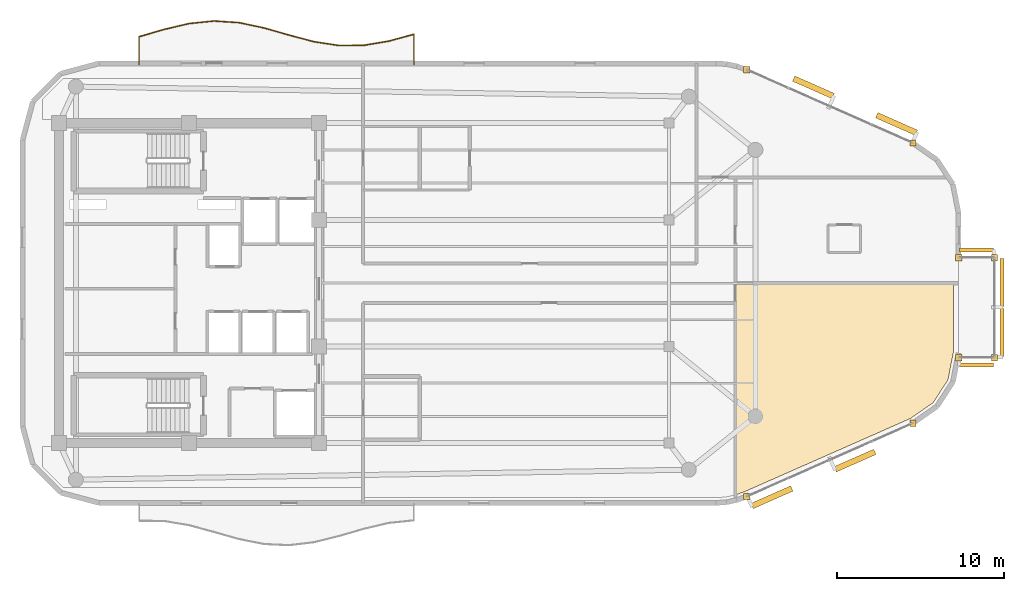
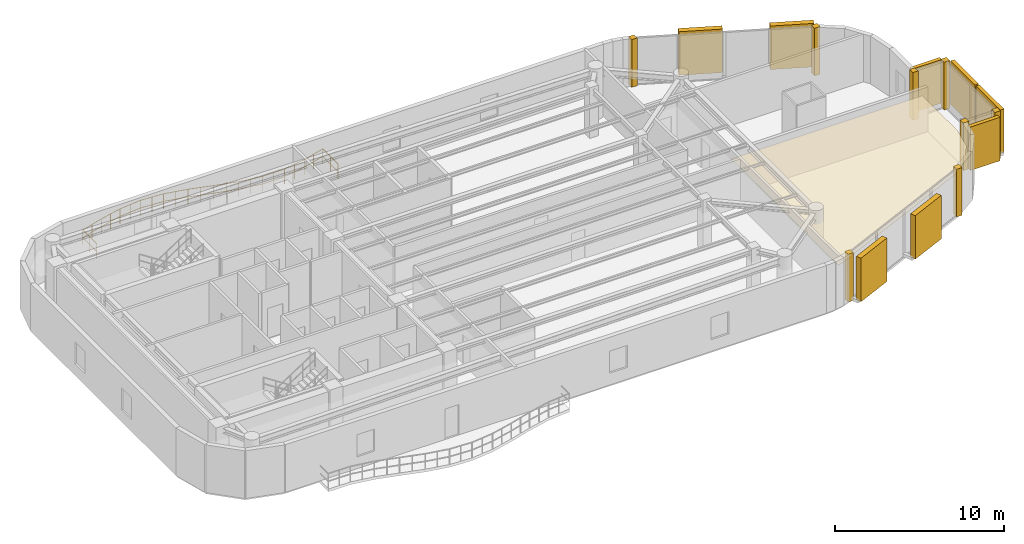
# One storey, part 13 of 13: 9 coverings, 8 shading devices, 1 railing.
"""IFC4 building model written with IfcOpenShell, lengths in metres."""

from ifc_helpers import new_model, si_unit, direction, frame, origin, origin_2d, place, context, subcontext, project, spatial, polyline, rectangle, circle, outline, extrude, material, layer, layer_set, type_object, element, save


model = new_model("IFC4")

# Units and contexts
model_context = context("Model", 3, precision=1e-05, world=origin(), true_north=direction((0.0, 1.0)))
body_context = subcontext(model_context, "Body", "Model", "MODEL_VIEW")
ifc_project = project(units=[si_unit("LENGTHUNIT", "METRE"), si_unit("AREAUNIT", "SQUARE_METRE"), si_unit("VOLUMEUNIT", "CUBIC_METRE"), si_unit("PLANEANGLEUNIT", "RADIAN"), si_unit("MASSUNIT", "GRAM", prefix="KILO")], contexts=[model_context])

# Site, building, storey
site_placement = place(None, origin())
site = spatial("IfcSite", under=ifc_project, at=site_placement, CompositionType="ELEMENT")
building_placement = place(site_placement, origin())
building = spatial("IfcBuilding", under=site, at=building_placement, Name="An Khanh Terracotta Commons", CompositionType="ELEMENT")
storey_placement = place(building_placement, frame((0.0, 0.0, 288.0)))
storey = spatial("IfcBuildingStorey", under=building, at=storey_placement, Name="L75", CompositionType="ELEMENT", Elevation=288.0)

# Coverings
ifc_material_1 = material(Name="Perforated Mineral-Fibre Acoustic Tile")
ifc_layer_1 = layer(ifc_material_1, 0.02001953125, Name="Perforated Mineral-Fibre Acoustic Tile")
ifc_layer_set_1 = layer_set([ifc_layer_1], Name="Perforated Mineral-Fibre Acoustic Tile")
covering_type_1 = type_object("IfcCoveringType", Name="CEIL-ACOUSTIC-18", PredefinedType="CEILING", material=ifc_layer_set_1)
covering_placement = place(storey_placement, frame((0.0, 0.0, 2.64990234375)))
element("IfcCovering", 1, at=covering_placement, inside=storey, type_object=covering_type_1, Name="L75 Academic Seminar Room Ceiling", PredefinedType="CEILING", context=body_context, shape_type="SweptSolid", body=[
    extrude(outline(polyline([(75.280029296875, 19.8291015625), (74.9609375, 18.19189453125), (74.068115234375, 16.822021484375), (72.699951171875, 15.8701171875), (62.76806640625, 11.488037109375), (62.199951171875, 11.283935546875), (62.199951171875, 11.282958984375), (62.199951171875, 22.820068359375), (62.199951171875, 24.0), (75.280029296875, 24.0), (75.280029296875, 19.8291015625)])), origin(), (0.0, 0.0, 1.0), 0.02001953125),
])
ifc_material_2 = material(Name="Fired Terracotta Rainscreen Cladding", Category="masonry")
ifc_layer_2 = layer(ifc_material_2, 0.080078125, Name="Fired Terracotta Rainscreen Cladding")
ifc_layer_set_2 = layer_set([ifc_layer_2], Name="Fired Terracotta Rainscreen Cladding")
covering_type_2 = type_object("IfcCoveringType", Name="COV-JAMB-TERRA", PredefinedType="CLADDING", material=ifc_layer_set_2)
for number, where, z_axis, x_axis, name in (
    (2, (62.886962890625, 11.19091796875, 0.0), (0.0, 0.0, 1.0), (1.0, 0.0, 0.0), "L75 CW-03 Curtain-Wall Jamb Closure JA"),
    (3, (72.85693359375, 15.590087890625, 0.0), (0.0, 0.0, 1.0), (1.0, 0.0, 0.0), "L75 CW-03 Curtain-Wall Jamb Closure JB"),
    (4, (77.75, 19.530029296875, 0.0), (0.0, 0.0, 1.0), (1.0, 0.0, 0.0), "L75 CW-04 Curtain-Wall Jamb Closure JA"),
    (5, (77.75, 25.530029296875, 0.0), (0.0, 0.0, 1.0), (1.0, 0.0, 0.0), "L75 CW-04 Curtain-Wall Jamb Closure JB"),
    (6, (75.60009765625, 19.530029296875, 0.0), (0.0, 0.0, 1.0), (1.0, 0.0, 0.0), "L75 CW-04 Curtain-Wall Jamb Closure JA"),
    (7, (75.60009765625, 25.530029296875, 0.0), (0.0, 0.0, 1.0), (1.0, 0.0, 0.0), "L75 CW-04 Curtain-Wall Jamb Closure JB"),
    (8, (72.85693359375, 32.409912109375, 0.0), (0.0, 0.0, 1.0), (1.0, 0.0, 0.0), "L75 CW-03 Curtain-Wall Jamb Closure JA"),
    (9, (62.886962890625, 36.80908203125, 0.0), (0.0, 0.0, 1.0), (1.0, 0.0, 0.0), "L75 CW-03 Curtain-Wall Jamb Closure JB"),
):
    element("IfcCovering", number, at=place(storey_placement, frame(where, z_axis=z_axis, x_axis=x_axis)), inside=storey, type_object=covering_type_2, Name=name, PredefinedType="CLADDING", context=body_context, shape_type="SweptSolid", body=[
        extrude(rectangle(XDim=0.3798828125, YDim=0.3798828125, at=origin_2d()), origin(), (0.0, 0.0, 1.0), 3.449951171875),
    ])

# Railing
ifc_material_3 = material(Name="Brushed Stainless Steel 316", Category="steel")
railing_type = type_object("IfcRailingType", Name="RAIL-BALUSTRADE-1100", PredefinedType="BALUSTRADE", material=ifc_material_3)
railing_placement = place(storey_placement, frame((42.89990234375, 37.139892578125, 0.0)))
element("IfcRailing", 10, at=railing_placement, inside=storey, type_object=railing_type, Name="L75 N Wave Balcony Guard Balustrade", PredefinedType="BALUSTRADE", context=body_context, shape_type="SweptSolid", body=[
    extrude(circle(Radius=0.02392578125, at=origin_2d()), frame((0.0, 0.0, 1.076171875), z_axis=(0.0, 1.0, 0.0), x_axis=(-1.0, 0.0, 0.0)), (0.0, 0.0, 1.0), 1.801025390625),
    extrude(circle(Radius=0.02392578125, at=origin_2d()), frame((0.0, 0.0, 0.52587890625), z_axis=(0.0, 1.0, 0.0), x_axis=(-1.0, 0.0, 0.0)), (0.0, 0.0, 1.0), 1.801025390625),
    extrude(circle(Radius=0.02392578125, at=origin_2d()), frame((0.0, 1.801025390625, 1.076171875), z_axis=(-0.964948425307, -0.262439586375, 0.0), x_axis=(0.262439586375, -0.964948425307, 0.0)), (0.0, 0.0, 1.0), 1.554443359375),
    extrude(circle(Radius=0.02392578125, at=origin_2d()), frame((0.0, 1.801025390625, 0.52587890625), z_axis=(-0.964948425307, -0.262439586375, 0.0), x_axis=(0.262439586375, -0.964948425307, 0.0)), (0.0, 0.0, 1.0), 1.554443359375),
    extrude(circle(Radius=0.02392578125, at=origin_2d()), frame((-1.5, 1.39306640625, 1.076171875), z_axis=(-0.986079829755, -0.16627257546, 0.0), x_axis=(0.16627257546, -0.986079829755, 0.0)), (0.0, 0.0, 1.0), 1.521240234375),
    extrude(circle(Radius=0.02392578125, at=origin_2d()), frame((-1.5, 1.39306640625, 0.52587890625), z_axis=(-0.986079829755, -0.16627257546, 0.0), x_axis=(0.16627257546, -0.986079829755, 0.0)), (0.0, 0.0, 1.0), 1.521240234375),
    extrude(circle(Radius=0.02392578125, at=origin_2d()), frame((-3.0, 1.14013671875, 1.076171875), z_axis=(-0.999956968224, -0.009276944529, 0.0), x_axis=(0.009276944529, -0.999956968224, 0.0)), (0.0, 0.0, 1.0), 1.5),
    extrude(circle(Radius=0.02392578125, at=origin_2d()), frame((-3.0, 1.14013671875, 0.52587890625), z_axis=(-0.999956968224, -0.009276944529, 0.0), x_axis=(0.009276944529, -0.999956968224, 0.0)), (0.0, 0.0, 1.0), 1.5),
    extrude(circle(Radius=0.02392578125, at=origin_2d()), frame((-4.5, 1.126220703125, 1.076171875), z_axis=(-0.988545890906, 0.15092058035, 0.0), x_axis=(-0.15092058035, -0.988545890906, 0.0)), (0.0, 0.0, 1.0), 1.517333984375),
    extrude(circle(Radius=0.02392578125, at=origin_2d()), frame((-4.5, 1.126220703125, 0.52587890625), z_axis=(-0.988545890906, 0.15092058035, 0.0), x_axis=(-0.15092058035, -0.988545890906, 0.0)), (0.0, 0.0, 1.0), 1.517333984375),
    extrude(circle(Radius=0.02392578125, at=origin_2d()), frame((-6.0, 1.355224609375, 1.076171875), z_axis=(-0.966718963822, 0.255840663277, 0.0), x_axis=(-0.255840663277, -0.966718963822, 0.0)), (0.0, 0.0, 1.0), 1.5517578125),
    extrude(circle(Radius=0.02392578125, at=origin_2d()), frame((-6.0, 1.355224609375, 0.52587890625), z_axis=(-0.966718963822, 0.255840663277, 0.0), x_axis=(-0.255840663277, -0.966718963822, 0.0)), (0.0, 0.0, 1.0), 1.5517578125),
    extrude(circle(Radius=0.02392578125, at=origin_2d()), frame((-7.5, 1.752197265625, 1.076171875), z_axis=(-0.961293347262, 0.275526950607, 0.0), x_axis=(-0.275526950607, -0.961293347262, 0.0)), (0.0, 0.0, 1.0), 1.560302734375),
    extrude(circle(Radius=0.02392578125, at=origin_2d()), frame((-7.5, 1.752197265625, 0.52587890625), z_axis=(-0.961293347262, 0.275526950607, 0.0), x_axis=(-0.275526950607, -0.961293347262, 0.0)), (0.0, 0.0, 1.0), 1.560302734375),
    extrude(circle(Radius=0.02392578125, at=origin_2d()), frame((-9.0, 2.18212890625, 1.076171875), z_axis=(-0.978275241205, 0.207310280607, 0.0), x_axis=(-0.207310280607, -0.978275241205, 0.0)), (0.0, 0.0, 1.0), 1.533203125),
    extrude(circle(Radius=0.02392578125, at=origin_2d()), frame((-9.0, 2.18212890625, 0.52587890625), z_axis=(-0.978275241205, 0.207310280607, 0.0), x_axis=(-0.207310280607, -0.978275241205, 0.0)), (0.0, 0.0, 1.0), 1.533203125),
    extrude(circle(Radius=0.02392578125, at=origin_2d()), frame((-10.5, 2.5, 1.076171875), z_axis=(-0.997866326321, 0.065290081898, 0.0), x_axis=(-0.065290081898, -0.997866326321, 0.0)), (0.0, 0.0, 1.0), 1.503173828125),
    extrude(circle(Radius=0.02392578125, at=origin_2d()), frame((-10.5, 2.5, 0.52587890625), z_axis=(-0.997866326321, 0.065290081898, 0.0), x_axis=(-0.065290081898, -0.997866326321, 0.0)), (0.0, 0.0, 1.0), 1.503173828125),
    extrude(circle(Radius=0.02392578125, at=origin_2d()), frame((-12.0, 2.59814453125, 1.076171875), z_axis=(-0.994833141332, -0.101523499286, 0.0), x_axis=(0.101523499286, -0.994833141332, 0.0)), (0.0, 0.0, 1.0), 1.5078125),
    extrude(circle(Radius=0.02392578125, at=origin_2d()), frame((-12.0, 2.59814453125, 0.52587890625), z_axis=(-0.994833141332, -0.101523499286, 0.0), x_axis=(0.101523499286, -0.994833141332, 0.0)), (0.0, 0.0, 1.0), 1.5078125),
    extrude(circle(Radius=0.02392578125, at=origin_2d()), frame((-13.5, 2.445068359375, 1.076171875), z_axis=(-0.973263214687, -0.229692653206, 0.0), x_axis=(0.229692653206, -0.973263214687, 0.0)), (0.0, 0.0, 1.0), 1.541259765625),
    extrude(circle(Radius=0.02392578125, at=origin_2d()), frame((-13.5, 2.445068359375, 0.52587890625), z_axis=(-0.973263214687, -0.229692653206, 0.0), x_axis=(0.229692653206, -0.973263214687, 0.0)), (0.0, 0.0, 1.0), 1.541259765625),
    extrude(circle(Radius=0.02392578125, at=origin_2d()), frame((-15.0, 2.091064453125, 1.076171875), z_axis=(-0.960419102414, -0.278559056071, 0.0), x_axis=(0.278559056071, -0.960419102414, 0.0)), (0.0, 0.0, 1.0), 1.561767578125),
    extrude(circle(Radius=0.02392578125, at=origin_2d()), frame((-15.0, 2.091064453125, 0.52587890625), z_axis=(-0.960419102414, -0.278559056071, 0.0), x_axis=(0.278559056071, -0.960419102414, 0.0)), (0.0, 0.0, 1.0), 1.561767578125),
    extrude(circle(Radius=0.02392578125, at=origin_2d()), frame((-16.5, 1.656005859375, 1.076171875), z_axis=(0.0, -1.0, 0.0), x_axis=(1.0, 0.0, 0.0)), (0.0, 0.0, 1.0), 1.656005859375),
    extrude(circle(Radius=0.02392578125, at=origin_2d()), frame((-16.5, 1.656005859375, 0.52587890625), z_axis=(0.0, -1.0, 0.0), x_axis=(1.0, 0.0, 0.0)), (0.0, 0.0, 1.0), 1.656005859375),
    extrude(circle(Radius=0.02099609375, at=origin_2d()), origin(), (0.0, 0.0, 1.0), 1.052001953125),
    extrude(circle(Radius=0.02099609375, at=origin_2d()), frame((0.0, 0.900390625, 0.0)), (0.0, 0.0, 1.0), 1.052001953125),
    extrude(circle(Radius=0.02099609375, at=origin_2d()), frame((0.0, 1.801025390625, 0.0)), (0.0, 0.0, 1.0), 1.052001953125),
    extrude(circle(Radius=0.02099609375, at=origin_2d()), frame((-0.75, 1.59716796875, 0.0)), (0.0, 0.0, 1.0), 1.052001953125),
    extrude(circle(Radius=0.02099609375, at=origin_2d()), frame((-1.5, 1.39306640625, 0.0)), (0.0, 0.0, 1.0), 1.052001953125),
    extrude(circle(Radius=0.02099609375, at=origin_2d()), frame((-2.25, 1.2666015625, 0.0)), (0.0, 0.0, 1.0), 1.052001953125),
    extrude(circle(Radius=0.02099609375, at=origin_2d()), frame((-3.0, 1.14013671875, 0.0)), (0.0, 0.0, 1.0), 1.052001953125),
    extrude(circle(Radius=0.02099609375, at=origin_2d()), frame((-3.75, 1.13330078125, 0.0)), (0.0, 0.0, 1.0), 1.052001953125),
    extrude(circle(Radius=0.02099609375, at=origin_2d()), frame((-4.5, 1.126220703125, 0.0)), (0.0, 0.0, 1.0), 1.052001953125),
    extrude(circle(Radius=0.02099609375, at=origin_2d()), frame((-5.25, 1.24072265625, 0.0)), (0.0, 0.0, 1.0), 1.052001953125),
    extrude(circle(Radius=0.02099609375, at=origin_2d()), frame((-6.0, 1.355224609375, 0.0)), (0.0, 0.0, 1.0), 1.052001953125),
    extrude(circle(Radius=0.02099609375, at=origin_2d()), frame((-6.75, 1.5537109375, 0.0)), (0.0, 0.0, 1.0), 1.052001953125),
    extrude(circle(Radius=0.02099609375, at=origin_2d()), frame((-7.5, 1.752197265625, 0.0)), (0.0, 0.0, 1.0), 1.052001953125),
    extrude(circle(Radius=0.02099609375, at=origin_2d()), frame((-8.25, 1.96728515625, 0.0)), (0.0, 0.0, 1.0), 1.052001953125),
    extrude(circle(Radius=0.02099609375, at=origin_2d()), frame((-9.0, 2.18212890625, 0.0)), (0.0, 0.0, 1.0), 1.052001953125),
    extrude(circle(Radius=0.02099609375, at=origin_2d()), frame((-9.75, 2.341064453125, 0.0)), (0.0, 0.0, 1.0), 1.052001953125),
    extrude(circle(Radius=0.02099609375, at=origin_2d()), frame((-10.5, 2.5, 0.0)), (0.0, 0.0, 1.0), 1.052001953125),
    extrude(circle(Radius=0.02099609375, at=origin_2d()), frame((-11.25, 2.549072265625, 0.0)), (0.0, 0.0, 1.0), 1.052001953125),
    extrude(circle(Radius=0.02099609375, at=origin_2d()), frame((-12.0, 2.59814453125, 0.0)), (0.0, 0.0, 1.0), 1.052001953125),
    extrude(circle(Radius=0.02099609375, at=origin_2d()), frame((-12.75, 2.521484375, 0.0)), (0.0, 0.0, 1.0), 1.052001953125),
    extrude(circle(Radius=0.02099609375, at=origin_2d()), frame((-13.5, 2.445068359375, 0.0)), (0.0, 0.0, 1.0), 1.052001953125),
    extrude(circle(Radius=0.02099609375, at=origin_2d()), frame((-14.25, 2.26806640625, 0.0)), (0.0, 0.0, 1.0), 1.052001953125),
    extrude(circle(Radius=0.02099609375, at=origin_2d()), frame((-15.0, 2.091064453125, 0.0)), (0.0, 0.0, 1.0), 1.052001953125),
    extrude(circle(Radius=0.02099609375, at=origin_2d()), frame((-15.75, 1.87353515625, 0.0)), (0.0, 0.0, 1.0), 1.052001953125),
    extrude(circle(Radius=0.02099609375, at=origin_2d()), frame((-16.5, 1.656005859375, 0.0)), (0.0, 0.0, 1.0), 1.052001953125),
    extrude(circle(Radius=0.02099609375, at=origin_2d()), frame((-16.5, 0.828125, 0.0)), (0.0, 0.0, 1.0), 1.052001953125),
    extrude(circle(Radius=0.02099609375, at=origin_2d()), frame((-16.5, 0.0, 0.0)), (0.0, 0.0, 1.0), 1.052001953125),
])

# Shading devices
ifc_material_4 = material(Name="Warm Hardwood Timber-Finish Aluminium", Category="wood")
shading_device_type_1 = type_object("IfcShadingDeviceType", Name="Shifted Box Timber-Toned Louvre Screen", PredefinedType="USERDEFINED", material=ifc_material_4)
for number, where, z_axis, x_axis, name in (
    (11, (78.199951171875, 21.030029296875, 0.150146484375), (0.0, 0.0, 1.0), (0.0, 1.0, 0.0), "L75 Louvre Screen 1"),
    (12, (78.199951171875, 24.030029296875, 0.150146484375), (0.0, 0.0, 1.0), (0.0, 1.0, 0.0), "L75 Louvre Screen 2"),
):
    element("IfcShadingDevice", number, at=place(storey_placement, frame(where, z_axis=z_axis, x_axis=x_axis)), inside=storey, type_object=shading_device_type_1, Name=name, ObjectType="LOUVRE", PredefinedType="USERDEFINED", context=body_context, shape_type="SweptSolid", body=[
        extrude(rectangle(XDim=2.8798828125, YDim=0.25, at=origin_2d()), origin(), (0.0, 0.0, 1.0), 3.14990234375),
    ])
for number, where, z_axis, x_axis, name in (
    (13, (76.675048828125, 19.080078125, 0.150146484375), (0.0, 0.0, 1.0), (1.0, 0.0, 0.0), "L75 Louvre Screen 1"),
    (14, (76.675048828125, 25.97998046875, 0.150146484375), (0.0, 0.0, 1.0), (-1.0, 0.0, 0.0), "L75 Louvre Screen 1"),
):
    element("IfcShadingDevice", number, at=place(storey_placement, frame(where, z_axis=z_axis, x_axis=x_axis)), inside=storey, type_object=shading_device_type_1, Name=name, ObjectType="LOUVRE", PredefinedType="USERDEFINED", context=body_context, shape_type="SweptSolid", body=[
        extrude(rectangle(XDim=2.030029296875, YDim=0.25, at=origin_2d()), origin(), (0.0, 0.0, 1.0), 3.14990234375),
    ])
ifc_material_5 = material(Name="Extruded Fired Terracotta", Category="masonry")
shading_device_type_2 = type_object("IfcShadingDeviceType", Name="Terracotta Baguette Screen Assembly", PredefinedType="USERDEFINED", material=ifc_material_5)
for number, where, z_axis, x_axis, name in (
    (15, (64.39599609375, 11.14599609375, 0.150146484375), (0.0, 0.0, 1.0), (0.914901853201, 0.403676354285, 0.0), "L75 Terracotta Baguette Screen 1"),
    (16, (69.381103515625, 13.345947265625, 0.150146484375), (0.0, 0.0, 1.0), (0.914901853201, 0.403676354285, 0.0), "L75 Terracotta Baguette Screen 3"),
    (17, (71.873046875, 33.554931640625, 0.150146484375), (0.0, 0.0, 1.0), (-0.914901853201, 0.403676354285, 0.0), "L75 Terracotta Baguette Screen 1"),
    (18, (66.887939453125, 35.75390625, 0.150146484375), (0.0, 0.0, 1.0), (-0.914901853201, 0.403676354285, 0.0), "L75 Terracotta Baguette Screen 3"),
):
    element("IfcShadingDevice", number, at=place(storey_placement, frame(where, z_axis=z_axis, x_axis=x_axis)), inside=storey, type_object=shading_device_type_2, Name=name, ObjectType="BAGUETTE", PredefinedType="USERDEFINED", context=body_context, shape_type="SweptSolid", body=[
        extrude(rectangle(XDim=2.60400390625, YDim=0.35009765625, at=origin_2d()), origin(), (0.0, 0.0, 1.0), 3.14990234375),
    ])

save(model, "model.ifc")
